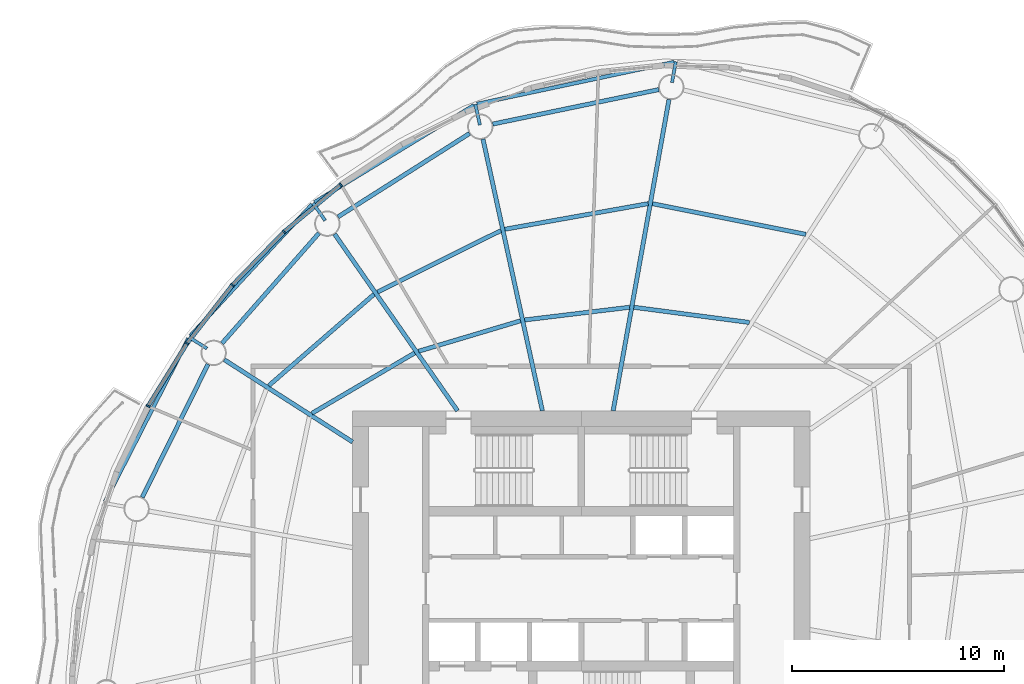
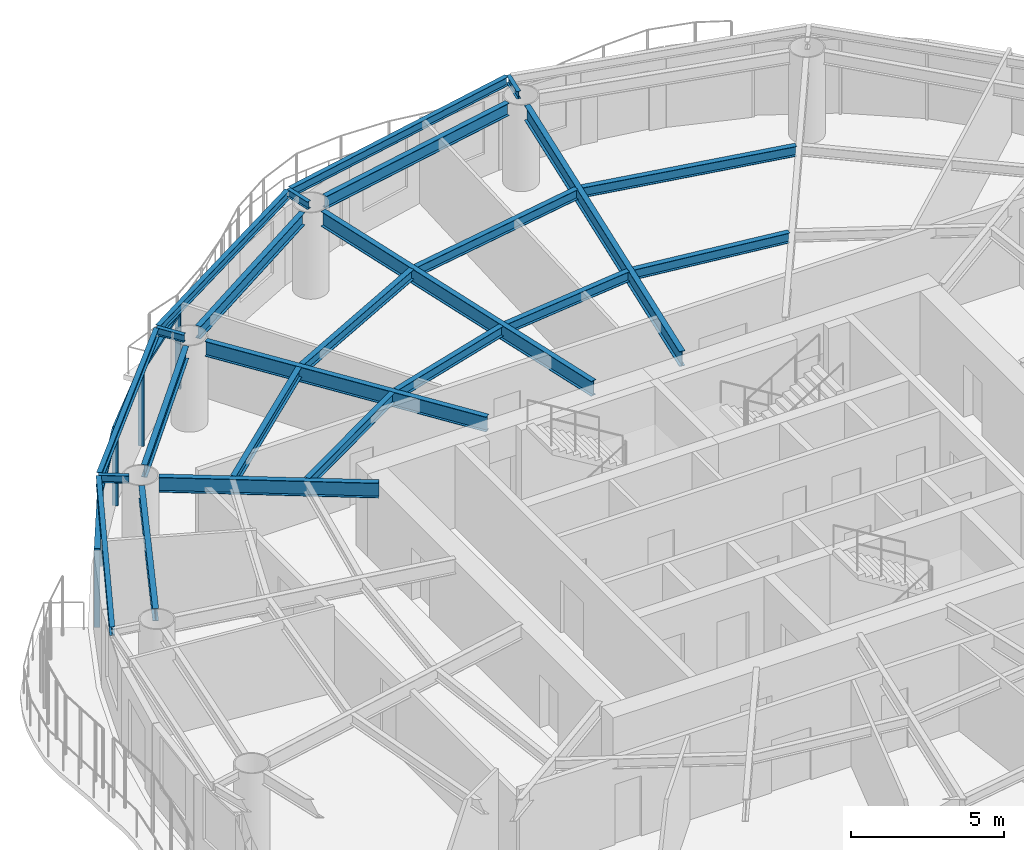
# One storey, part 5 of 14: 24 beams, 9 members, 4 elements without a shape of their own.
"""IFC4 building model written with IfcOpenShell, lengths in metres."""

import ifcopenshell
import ifcopenshell.guid

model = None  # the IFC model being written
_history = None  # IfcOwnerHistory: only IFC2X3 demands one
_inside = {}  # id of a spatial element -> (the spatial element, [elements in it])
_under = {}  # id of a project, library or spatial element -> (it, [spatial elements below it])
_declared = {}  # id of a project -> (the project, [libraries it declares])
_typed = {}  # id of a type object -> (the type object, [elements of that type])
_made_of = {}  # id of a material, layer set ... -> (it, [elements and type objects made of it])


def new_model(schema):
    """Start an empty IFC model of exactly this schema.

    Asked for "IFC4X3", IfcOpenShell would pick the latest addendum, in which some entities
    have other attributes; the version numbers below select the first issue.
    IFC2X3 requires an IfcOwnerHistory on every rooted entity: one is made here for all.
    """
    global model, _history
    if schema == "IFC4X3":
        model = ifcopenshell.file(schema_version=(4, 3, 0, 0))
    else:
        model = ifcopenshell.file(schema=schema)
    _inside.clear()
    _under.clear()
    _declared.clear()
    _typed.clear()
    _made_of.clear()
    _history = None
    if model.schema == "IFC2X3":
        org = make("IfcOrganization", Name="unknown")
        user = make(
            "IfcPersonAndOrganization",
            ThePerson=make("IfcPerson", FamilyName="unknown"),
            TheOrganization=org,
        )
        app = make(
            "IfcApplication",
            ApplicationDeveloper=org,
            Version="unknown",
            ApplicationFullName="unknown",
            ApplicationIdentifier="unknown",
        )
        _history = make(
            "IfcOwnerHistory",
            OwningUser=user,
            OwningApplication=app,
            ChangeAction="ADDED",
            CreationDate=0,
        )
    return model


def make(cls, **values):
    """One entity of the class cls with the attributes given. An attribute that is None is left unset."""
    return model.create_entity(
        cls, **{name: value for name, value in values.items() if value is not None}
    )


def rooted(cls, **values):
    """An entity with a GlobalId (a new one), such as an element, a storey or a relation."""
    return make(cls, GlobalId=ifcopenshell.guid.new(), OwnerHistory=_history, **values)


def si_unit(unit_type, name, prefix=None):
    """IfcSIUnit, for example si_unit("LENGTHUNIT", "METRE", prefix="MILLI")."""
    return make("IfcSIUnit", UnitType=unit_type, Prefix=prefix, Name=name)


def assignment(units):
    """IfcUnitAssignment: the units of a project."""
    return None if units is None else make("IfcUnitAssignment", Units=units)


def point(xyz):
    """IfcCartesianPoint."""
    return None if xyz is None else make("IfcCartesianPoint", Coordinates=xyz)


def direction(xyz):
    """IfcDirection."""
    return None if xyz is None else make("IfcDirection", DirectionRatios=xyz)


def frame(location, z_axis=None, x_axis=None):
    """IfcAxis2Placement3D, a coordinate frame: its origin and axes. An axis left out is left unset."""
    return make(
        "IfcAxis2Placement3D",
        Location=point(location),
        Axis=direction(z_axis),
        RefDirection=direction(x_axis),
    )


def frame_2d(location, x_axis=None):
    """IfcAxis2Placement2D, a coordinate frame in the plane: its origin and x axis."""
    return make(
        "IfcAxis2Placement2D", Location=point(location), RefDirection=direction(x_axis)
    )


def origin():
    """The frame at (0, 0, 0) with its axes left unset."""
    return frame((0.0, 0.0, 0.0))


def origin_2d():
    """The frame at (0, 0) in the plane with its x axis left unset."""
    return frame_2d((0.0, 0.0))


def place(relative_to, where):
    """IfcLocalPlacement: puts the frame where relative to a parent placement (None: the world)."""
    return make(
        "IfcLocalPlacement", PlacementRelTo=relative_to, RelativePlacement=where
    )


def context(
    kind, dimensions, precision=None, world=None, true_north=None, identifier=None
):
    """IfcGeometricRepresentationContext, for example the 3D "Model" context."""
    return make(
        "IfcGeometricRepresentationContext",
        ContextIdentifier=identifier,
        ContextType=kind,
        CoordinateSpaceDimension=dimensions,
        Precision=precision,
        WorldCoordinateSystem=world,
        TrueNorth=true_north,
    )


def subcontext(parent, identifier, kind, view, scale=None):
    """IfcGeometricRepresentationSubContext, for example "Body" below "Model"."""
    return make(
        "IfcGeometricRepresentationSubContext",
        ContextIdentifier=identifier,
        ContextType=kind,
        ParentContext=parent,
        TargetScale=scale,
        TargetView=view,
    )


def project(units=None, contexts=None):
    """IfcProject with its units and contexts."""
    return rooted(
        "IfcProject",
        Name="project",
        RepresentationContexts=contexts,
        UnitsInContext=assignment(units),
    )


def spatial(cls, under=None, at=None, **own):
    """A site, building, storey or space (cls), placed at a placement, below another one or the project."""
    s = rooted(cls, ObjectPlacement=at, **own)
    if under is not None:
        _under.setdefault(under.id(), (under, []))[1].append(s)
    return s


def profile(cls, at=None, kind="AREA", **sizes):
    """A parametric profile (cls). Its sizes go by their IFC names, for example OverallWidth=200.0."""
    return make(cls, ProfileType=kind, Position=at, **sizes)


def rectangle(**sizes):
    """IfcRectangleProfileDef."""
    return profile("IfcRectangleProfileDef", **sizes)


def i_section(**sizes):
    """IfcIShapeProfileDef."""
    return profile("IfcIShapeProfileDef", **sizes)


def extrude(swept, where, along, depth):
    """IfcExtrudedAreaSolid: the profile swept, set in the frame where, extruded along a direction by depth."""
    return make(
        "IfcExtrudedAreaSolid",
        SweptArea=swept,
        Position=where,
        ExtrudedDirection=direction(along),
        Depth=depth,
    )


def shape(context_of_items, identifier, shape_type, items):
    """IfcShapeRepresentation: the items that make up one representation, for example the "Body"."""
    return make(
        "IfcShapeRepresentation",
        ContextOfItems=context_of_items,
        RepresentationIdentifier=identifier,
        RepresentationType=shape_type,
        Items=items,
    )


def material(Name=None, Category=None):
    """IfcMaterial."""
    return make("IfcMaterial", Name=Name, Category=Category)


def material_profile(
    of_material, cross_section, Name=None, Category=None, Priority=None
):
    """IfcMaterialProfile: a cross section and its material."""
    return make(
        "IfcMaterialProfile",
        Name=Name,
        Material=of_material,
        Profile=cross_section,
        Priority=Priority,
        Category=Category,
    )


def profile_set(profiles, Name=None, composite=None):
    """IfcMaterialProfileSet."""
    return make(
        "IfcMaterialProfileSet",
        Name=Name,
        MaterialProfiles=profiles,
        CompositeProfile=composite,
    )


def made_of(thing, what):
    """Note that an element or type object is made of a material, layer set ...; save() writes the relation."""
    if what is not None:
        _made_of.setdefault(what.id(), (what, []))[1].append(thing)
    return thing


def type_object(cls, material=None, **own):
    """A type object (cls), such as IfcWallType, which elements share."""
    return made_of(rooted(cls, **own), material)


def element(
    cls,
    number,
    at=None,
    inside=None,
    cuts=None,
    type_object=None,
    material=None,
    context=None,
    identifier="Body",
    shape_type=None,
    held_by="IfcProductDefinitionShape",
    body=None,
    shapes=None,
    **own,
):
    """One element of the class cls, such as IfcWall. Its Tag is "e" and its number.

    at: its placement. inside: the storey or other place that contains it. cuts: it is an
    opening in that element (IfcRelVoidsElement). A single representation is given by context,
    identifier, shape_type and body (its items); several are given by shapes. held_by: the class
    of the entity that holds the representations. save() writes the other relations.
    """
    e = rooted(cls, Tag="e%d" % number, ObjectPlacement=at, **own)
    if body is not None:
        shapes = [shape(context, identifier, shape_type, body)]
    if shapes is not None:
        e.Representation = make(held_by, Representations=shapes)
    if inside is not None:
        _inside.setdefault(inside.id(), (inside, []))[1].append(e)
    if cuts is not None:
        rooted(
            "IfcRelVoidsElement", RelatingBuildingElement=cuts, RelatedOpeningElement=e
        )
    if type_object is not None:
        _typed.setdefault(type_object.id(), (type_object, []))[1].append(e)
    return made_of(e, material)


def aggregate(whole, parts):
    """IfcRelAggregates: a whole, such as a stair, and the parts it consists of."""
    return rooted("IfcRelAggregates", RelatingObject=whole, RelatedObjects=parts)


def save(model, path):
    """Write the relations noted so far, then the file.

    IfcRelAggregates (storeys below a building ...), IfcRelContainedInSpatialStructure (elements
    in a storey), IfcRelDefinesByType, IfcRelAssociatesMaterial and IfcRelDeclares: one each for
    every whole, place, type object, material and project.
    """
    for whole, parts in _under.values():
        aggregate(whole, parts)
    for where, things in _inside.values():
        rooted(
            "IfcRelContainedInSpatialStructure",
            RelatedElements=things,
            RelatingStructure=where,
        )
    for kind, things in _typed.values():
        rooted("IfcRelDefinesByType", RelatedObjects=things, RelatingType=kind)
    for what, things in _made_of.values():
        rooted("IfcRelAssociatesMaterial", RelatedObjects=things, RelatingMaterial=what)
    for by, libraries in _declared.values():
        rooted("IfcRelDeclares", RelatingContext=by, RelatedDefinitions=libraries)
    model.write(path)


model = new_model("IFC4")

# Units and contexts
model_context = context("Model", 3, precision=1e-05, world=origin(), true_north=direction((0.0, 1.0)))
body_context = subcontext(model_context, "Body", "Model", "MODEL_VIEW")
ifc_project = project(units=[si_unit("LENGTHUNIT", "METRE"), si_unit("AREAUNIT", "SQUARE_METRE"), si_unit("VOLUMEUNIT", "CUBIC_METRE"), si_unit("PLANEANGLEUNIT", "RADIAN"), si_unit("MASSUNIT", "GRAM", prefix="KILO")], contexts=[model_context])

# Site, building, storey
site_placement = place(None, origin())
site = spatial("IfcSite", under=ifc_project, at=site_placement, CompositionType="ELEMENT")
building_placement = place(site_placement, origin())
building = spatial("IfcBuilding", under=site, at=building_placement, Name="Vermilion Reach Broadcast Tower", CompositionType="ELEMENT")
storey_placement = place(building_placement, frame((0.0, 0.0, 228.10009765625)))
storey = spatial("IfcBuildingStorey", under=building, at=storey_placement, Name="L56", CompositionType="ELEMENT", Elevation=228.10009765625)

# Beams
ifc_material_1 = material(Name="Steel S355J2", Category="steel")
ifc_material_profile_1 = material_profile(ifc_material_1, i_section(OverallWidth=0.175048828125, OverallDepth=0.35009765625, WebThickness=0.007080078125, FlangeThickness=0.010986328125, at=origin_2d()), Name="S355J2 HN 350x175x7x11")
ifc_profile_set_1 = profile_set([ifc_material_profile_1], Name="Steel S355J2")
beam_type_1 = type_object("IfcBeamType", Name="EB4 HN 350x175x7x11", PredefinedType="BEAM", material=ifc_profile_set_1)
beam_1_placement = place(storey_placement, frame((-1.615234375, 24.867431640625, 3.27490234375), z_axis=(-0.978155330869, -0.207875320066, 0.0), x_axis=(0.207875320066, -0.978155330869, 0.0)))
element("IfcBeam", 1, at=beam_1_placement, inside=storey, type_object=beam_type_1, Name="Edge beam EB4-02", PredefinedType="BEAM", context=body_context, shape_type="SweptSolid", body=[
    extrude(i_section(OverallWidth=0.175048828125, OverallDepth=0.35009765625, WebThickness=0.007080078125, FlangeThickness=0.010986328125, at=origin_2d()), origin(), (0.0, 0.0, 1.0), 9.51904296875),
])
beam_2_placement = place(storey_placement, frame((-11.0673828125, 22.831787109375, 3.27490234375), z_axis=(-0.854050493174, -0.52019011439, 0.0), x_axis=(0.52019011439, -0.854050493174, 0.0)))
element("IfcBeam", 2, at=beam_2_placement, inside=storey, type_object=beam_type_1, Name="Edge beam EB4-03", PredefinedType="BEAM", context=body_context, shape_type="SweptSolid", body=[
    extrude(i_section(OverallWidth=0.175048828125, OverallDepth=0.35009765625, WebThickness=0.007080078125, FlangeThickness=0.010986328125, at=origin_2d()), origin(), (0.0, 0.0, 1.0), 8.822021484375),
])
beam_3_placement = place(storey_placement, frame((-18.718017578125, 18.147216796875, 3.27490234375), z_axis=(-0.679139478593, -0.734009242869, 0.0), x_axis=(0.734009242869, -0.679139478593, 0.0)))
element("IfcBeam", 3, at=beam_3_placement, inside=storey, type_object=beam_type_1, Name="Edge beam EB4-04", PredefinedType="BEAM", context=body_context, shape_type="SweptSolid", body=[
    extrude(i_section(OverallWidth=0.175048828125, OverallDepth=0.35009765625, WebThickness=0.007080078125, FlangeThickness=0.010986328125, at=origin_2d()), origin(), (0.0, 0.0, 1.0), 8.46728515625),
])
beam_4_placement = place(storey_placement, frame((-24.5546875, 11.80908203125, 3.27490234375), z_axis=(-0.455013039157, -0.890484774826, 0.0), x_axis=(0.890484774826, -0.455013039157, 0.0)))
element("IfcBeam", 4, at=beam_4_placement, inside=storey, type_object=beam_type_1, Name="Edge beam EB4-05", PredefinedType="BEAM", context=body_context, shape_type="SweptSolid", body=[
    extrude(i_section(OverallWidth=0.175048828125, OverallDepth=0.35009765625, WebThickness=0.007080078125, FlangeThickness=0.010986328125, at=origin_2d()), origin(), (0.0, 0.0, 1.0), 8.6455078125),
])
ifc_material_2 = material(Name="Steel S355J2", Category="steel")
ifc_material_profile_2 = material_profile(ifc_material_2, i_section(OverallWidth=0.199951171875, OverallDepth=0.60009765625, WebThickness=0.010986328125, FlangeThickness=0.01708984375, at=origin_2d()), Name="S355J2 HN 600x200x11x17")
ifc_profile_set_2 = profile_set([ifc_material_profile_2], Name="Steel S355J2")
beam_type_2 = type_object("IfcBeamType", Name="G4 HN 600x200x11x17", PredefinedType="BEAM", material=ifc_profile_set_2)
beam_5_placement = place(storey_placement, frame((-4.4931640625, 8.39990234375, 3.14990234375), z_axis=(0.176574729047, 0.984287237072, 0.0), x_axis=(-0.984287237072, 0.176574729047, 0.0)))
element("IfcBeam", 5, at=beam_5_placement, inside=storey, type_object=beam_type_2, Name="Girder G4-02", PredefinedType="BEAM", context=body_context, shape_type="SweptSolid", body=[
    extrude(i_section(OverallWidth=0.199951171875, OverallDepth=0.60009765625, WebThickness=0.010986328125, FlangeThickness=0.01708984375, at=origin_2d()), origin(), (0.0, 0.0, 1.0), 14.935302734375),
])
beam_6_placement = place(storey_placement, frame((-7.836181640625, 8.39990234375, 3.14990234375), z_axis=(-0.213538346548, 0.976934682849, 0.0), x_axis=(-0.976934682849, -0.213538346548, 0.0)))
element("IfcBeam", 6, at=beam_6_placement, inside=storey, type_object=beam_type_2, Name="Girder G4-03", PredefinedType="BEAM", context=body_context, shape_type="SweptSolid", body=[
    extrude(i_section(OverallWidth=0.199951171875, OverallDepth=0.60009765625, WebThickness=0.010986328125, FlangeThickness=0.01708984375, at=origin_2d()), origin(), (0.0, 0.0, 1.0), 13.135498046875),
])
beam_7_placement = place(storey_placement, frame((-11.8447265625, 8.39990234375, 3.14990234375), z_axis=(-0.571134149017, 0.8208567377, 0.0), x_axis=(-0.8208567377, -0.571134149017, 0.0)))
element("IfcBeam", 7, at=beam_7_placement, inside=storey, type_object=beam_type_2, Name="Girder G4-04", PredefinedType="BEAM", context=body_context, shape_type="SweptSolid", body=[
    extrude(i_section(OverallWidth=0.199951171875, OverallDepth=0.60009765625, WebThickness=0.010986328125, FlangeThickness=0.01708984375, at=origin_2d()), origin(), (0.0, 0.0, 1.0), 10.16552734375),
])
beam_8_placement = place(storey_placement, frame((-16.800048828125, 6.925537109375, 3.14990234375), z_axis=(-0.841798504642, 0.539791883584, 0.0), x_axis=(-0.539791883584, -0.841798504642, 0.0)))
element("IfcBeam", 8, at=beam_8_placement, inside=storey, type_object=beam_type_2, Name="Girder G4-05", PredefinedType="BEAM", context=body_context, shape_type="SweptSolid", body=[
    extrude(i_section(OverallWidth=0.199951171875, OverallDepth=0.60009765625, WebThickness=0.010986328125, FlangeThickness=0.01708984375, at=origin_2d()), origin(), (0.0, 0.0, 1.0), 7.1962890625),
])
ifc_material_3 = material(Name="Steel S355J2", Category="steel")
ifc_material_profile_3 = material_profile(ifc_material_3, i_section(OverallWidth=0.14990234375, OverallDepth=0.300048828125, WebThickness=0.006591796875, FlangeThickness=0.009033203125, at=origin_2d()), Name="S355J2 HN 300x150x6.5x9")
ifc_profile_set_3 = profile_set([ifc_material_profile_3], Name="Steel S355J2")
beam_type_3 = type_object("IfcBeamType", Name="GS4 HN 300x150x6.5x9", PredefinedType="BEAM", material=ifc_profile_set_3)
beam_9_placement = place(storey_placement, frame((-1.712646484375, 23.89990234375, 3.2998046875), z_axis=(0.176500327456, 0.984300581331, 0.0), x_axis=(-0.984300581331, 0.176500327456, 0.0)))
element("IfcBeam", 9, at=beam_9_placement, inside=storey, type_object=beam_type_3, Name="Cantilever stub GS4-02", PredefinedType="BEAM", context=body_context, shape_type="SweptSolid", body=[
    extrude(i_section(OverallWidth=0.14990234375, OverallDepth=0.300048828125, WebThickness=0.006591796875, FlangeThickness=0.009033203125, at=origin_2d()), origin(), (0.0, 0.0, 1.0), 1.0),
])
beam_10_placement = place(storey_placement, frame((-10.7861328125, 21.89599609375, 3.2998046875), z_axis=(-0.213594957215, 0.976922307173, 0.0), x_axis=(-0.976922307173, -0.213594957215, 0.0)))
element("IfcBeam", 10, at=beam_10_placement, inside=storey, type_object=beam_type_3, Name="Cantilever stub GS4-03", PredefinedType="BEAM", context=body_context, shape_type="SweptSolid", body=[
    extrude(i_section(OverallWidth=0.14990234375, OverallDepth=0.300048828125, WebThickness=0.006591796875, FlangeThickness=0.009033203125, at=origin_2d()), origin(), (0.0, 0.0, 1.0), 1.000244140625),
])
for number, where, z_axis, x_axis, name in (
    (11, (-18.0947265625, 17.382568359375, 3.2998046875), (-0.571100256946, 0.820880318022, 0.0), (-0.820880318022, -0.571100256946, 0.0), "Cantilever stub GS4-04"),
    (12, (-23.678466796875, 11.33642578125, 3.2998046875), (-0.841796649213, 0.539794777091, 0.0), (-0.539794777091, -0.841796649213, 0.0), "Cantilever stub GS4-05"),
):
    element("IfcBeam", number, at=place(storey_placement, frame(where, z_axis=z_axis, x_axis=x_axis)), inside=storey, type_object=beam_type_3, Name=name, PredefinedType="BEAM", context=body_context, shape_type="SweptSolid", body=[
        extrude(i_section(OverallWidth=0.14990234375, OverallDepth=0.300048828125, WebThickness=0.006591796875, FlangeThickness=0.009033203125, at=origin_2d()), origin(), (0.0, 0.0, 1.0), 1.0),
    ])
ifc_material_4 = material(Name="Steel S355J2", Category="steel")
ifc_material_profile_4 = material_profile(ifc_material_4, i_section(OverallWidth=0.199951171875, OverallDepth=0.5, WebThickness=0.010009765625, FlangeThickness=0.01611328125, at=origin_2d()), Name="S355J2 HN 500x200x10x16")
ifc_profile_set_4 = profile_set([ifc_material_profile_4], Name="Steel S355J2")
beam_type_4 = type_object("IfcBeamType", Name="RB4 HN 500x200x10x16", PredefinedType="BEAM", material=ifc_profile_set_4)
beam_11_placement = place(storey_placement, frame((-2.337646484375, 23.569091796875, 3.199951171875), z_axis=(-0.97912342484, -0.203266620302, 0.0), x_axis=(0.203266620302, -0.97912342484, 0.0)))
element("IfcBeam", 13, at=beam_11_placement, inside=storey, type_object=beam_type_4, Name="Ring beam RB4-02", PredefinedType="BEAM", context=body_context, shape_type="SweptSolid", body=[
    extrude(i_section(OverallWidth=0.199951171875, OverallDepth=0.5, WebThickness=0.010009765625, FlangeThickness=0.01611328125, at=origin_2d()), origin(), (0.0, 0.0, 1.0), 8.01123046875),
])
beam_12_placement = place(storey_placement, frame((-11.27587890625, 21.497314453125, 3.199951171875), z_axis=(-0.84446426774, -0.535611893549, 0.0), x_axis=(0.535611893549, -0.84446426774, 0.0)))
element("IfcBeam", 14, at=beam_12_placement, inside=storey, type_object=beam_type_4, Name="Ring beam RB4-03", PredefinedType="BEAM", context=body_context, shape_type="SweptSolid", body=[
    extrude(i_section(OverallWidth=0.199951171875, OverallDepth=0.5, WebThickness=0.010009765625, FlangeThickness=0.01611328125, at=origin_2d()), origin(), (0.0, 0.0, 1.0), 7.3544921875),
])
beam_13_placement = place(storey_placement, frame((-18.3896484375, 16.786376953125, 3.199951171875), z_axis=(-0.660565141761, -0.750768735024, 0.0), x_axis=(0.750768735024, -0.660565141761, 0.0)))
element("IfcBeam", 15, at=beam_13_placement, inside=storey, type_object=beam_type_4, Name="Ring beam RB4-04", PredefinedType="BEAM", context=body_context, shape_type="SweptSolid", body=[
    extrude(i_section(OverallWidth=0.199951171875, OverallDepth=0.5, WebThickness=0.010009765625, FlangeThickness=0.01611328125, at=origin_2d()), origin(), (0.0, 0.0, 1.0), 6.9287109375),
])
beam_14_placement = place(storey_placement, frame((-23.628662109375, 10.595947265625, 3.199951171875), z_axis=(-0.442977497199, -0.896532730566, 0.0), x_axis=(0.896532730566, -0.442977497199, 0.0)))
element("IfcBeam", 16, at=beam_14_placement, inside=storey, type_object=beam_type_4, Name="Ring beam RB4-05", PredefinedType="BEAM", context=body_context, shape_type="SweptSolid", body=[
    extrude(i_section(OverallWidth=0.199951171875, OverallDepth=0.5, WebThickness=0.010009765625, FlangeThickness=0.01611328125, at=origin_2d()), origin(), (0.0, 0.0, 1.0), 7.0166015625),
])
ifc_material_5 = material(Name="Steel S355J2", Category="steel")
ifc_material_profile_5 = material_profile(ifc_material_5, i_section(OverallWidth=0.199951171875, OverallDepth=0.39990234375, WebThickness=0.008056640625, FlangeThickness=0.012939453125, at=origin_2d()), Name="S355J2 HN 400x200x8x13")
ifc_profile_set_5 = profile_set([ifc_material_profile_5], Name="Steel S355J2")
beam_type_5 = type_object("IfcBeamType", Name="SB4 HN 400x200x8x13", PredefinedType="BEAM", material=ifc_profile_set_5)
beam_15_placement = place(storey_placement, frame((1.94140625, 12.5693359375, 3.25), z_axis=(-0.991458070019, 0.130425823341, 0.0), x_axis=(-0.130425823341, -0.991458070019, 0.0)))
element("IfcBeam", 17, at=beam_15_placement, inside=storey, type_object=beam_type_5, Name="Secondary beam SB4-01-1", PredefinedType="BEAM", context=body_context, shape_type="SweptSolid", body=[
    extrude(i_section(OverallWidth=0.199951171875, OverallDepth=0.39990234375, WebThickness=0.008056640625, FlangeThickness=0.012939453125, at=origin_2d()), origin(), (0.0, 0.0, 1.0), 5.50341796875),
])
beam_16_placement = place(storey_placement, frame((4.60986328125, 16.73095703125, 3.25), z_axis=(-0.9805717807, 0.196160604851, 0.0), x_axis=(-0.196160604851, -0.9805717807, 0.0)))
element("IfcBeam", 18, at=beam_16_placement, inside=storey, type_object=beam_type_5, Name="Secondary beam SB4-01-2", PredefinedType="BEAM", context=body_context, shape_type="SweptSolid", body=[
    extrude(i_section(OverallWidth=0.199951171875, OverallDepth=0.39990234375, WebThickness=0.008056640625, FlangeThickness=0.012939453125, at=origin_2d()), origin(), (0.0, 0.0, 1.0), 7.390380859375),
])
beam_17_placement = place(storey_placement, frame((-3.718017578125, 13.28759765625, 3.25), z_axis=(-0.99278788328, -0.119884189168, 0.0), x_axis=(0.119884189168, -0.99278788328, 0.0)))
element("IfcBeam", 19, at=beam_17_placement, inside=storey, type_object=beam_type_5, Name="Secondary beam SB4-02-1", PredefinedType="BEAM", context=body_context, shape_type="SweptSolid", body=[
    extrude(i_section(OverallWidth=0.199951171875, OverallDepth=0.39990234375, WebThickness=0.008056640625, FlangeThickness=0.012939453125, at=origin_2d()), origin(), (0.0, 0.0, 1.0), 4.9892578125),
])
beam_18_placement = place(storey_placement, frame((-2.840087890625, 18.181640625, 3.25), z_axis=(-0.984415281892, -0.175859468829, 0.0), x_axis=(0.175859468829, -0.984415281892, 0.0)))
element("IfcBeam", 20, at=beam_18_placement, inside=storey, type_object=beam_type_5, Name="Secondary beam SB4-02-2", PredefinedType="BEAM", context=body_context, shape_type="SweptSolid", body=[
    extrude(i_section(OverallWidth=0.199951171875, OverallDepth=0.39990234375, WebThickness=0.008056640625, FlangeThickness=0.012939453125, at=origin_2d()), origin(), (0.0, 0.0, 1.0), 6.874755859375),
])
beam_19_placement = place(storey_placement, frame((-8.8671875, 12.64892578125, 3.25), z_axis=(-0.958173460215, -0.28618808525, 0.0), x_axis=(0.28618808525, -0.958173460215, 0.0)))
element("IfcBeam", 21, at=beam_19_placement, inside=storey, type_object=beam_type_5, Name="Secondary beam SB4-03-1", PredefinedType="BEAM", context=body_context, shape_type="SweptSolid", body=[
    extrude(i_section(OverallWidth=0.199951171875, OverallDepth=0.39990234375, WebThickness=0.008056640625, FlangeThickness=0.012939453125, at=origin_2d()), origin(), (0.0, 0.0, 1.0), 5.02197265625),
])
beam_20_placement = place(storey_placement, frame((-9.79833984375, 16.908935546875, 3.25), z_axis=(-0.895183615542, -0.445697536974, 0.0), x_axis=(0.445697536974, -0.895183615542, 0.0)))
element("IfcBeam", 22, at=beam_20_placement, inside=storey, type_object=beam_type_5, Name="Secondary beam SB4-03-2", PredefinedType="BEAM", context=body_context, shape_type="SweptSolid", body=[
    extrude(i_section(OverallWidth=0.199951171875, OverallDepth=0.39990234375, WebThickness=0.008056640625, FlangeThickness=0.012939453125, at=origin_2d()), origin(), (0.0, 0.0, 1.0), 6.508544921875),
])
beam_21_placement = place(storey_placement, frame((-13.866455078125, 11.130615234375, 3.25), z_axis=(-0.862172572268, -0.506614701356, 0.0), x_axis=(0.506614701356, -0.862172572268, 0.0)))
element("IfcBeam", 23, at=beam_21_placement, inside=storey, type_object=beam_type_5, Name="Secondary beam SB4-04-1", PredefinedType="BEAM", context=body_context, shape_type="SweptSolid", body=[
    extrude(i_section(OverallWidth=0.199951171875, OverallDepth=0.39990234375, WebThickness=0.008056640625, FlangeThickness=0.012939453125, at=origin_2d()), origin(), (0.0, 0.0, 1.0), 5.632568359375),
])
beam_22_placement = place(storey_placement, frame((-15.791259765625, 13.89697265625, 3.25), z_axis=(-0.755129308567, -0.655575874589, 0.0), x_axis=(0.655575874589, -0.755129308567, 0.0)))
element("IfcBeam", 24, at=beam_22_placement, inside=storey, type_object=beam_type_5, Name="Secondary beam SB4-04-2", PredefinedType="BEAM", context=body_context, shape_type="SweptSolid", body=[
    extrude(i_section(OverallWidth=0.199951171875, OverallDepth=0.39990234375, WebThickness=0.008056640625, FlangeThickness=0.012939453125, at=origin_2d()), origin(), (0.0, 0.0, 1.0), 6.57958984375),
])

# Curtain wall, member
ifc_material_6 = material(Name="Low-e laminated clear glass in aluminium frame", Category="aluminium")
curtain_wall_type = type_object("IfcCurtainWallType", Name="Slot curtain wall", PredefinedType="NOTDEFINED", material=ifc_material_6)
placement = place(storey_placement, origin())
curtain_wall_1 = element("IfcCurtainWall", 25, at=placement, inside=storey, type_object=curtain_wall_type, Name="Slot curtain wall L56 10", PredefinedType="NOTDEFINED")
ifc_material_7 = material(Name="Anodised aluminium", Category="aluminium")
ifc_material_profile_6 = material_profile(ifc_material_7, rectangle(XDim=0.199951171875, YDim=0.080078125, at=origin_2d()), Name="Slot mullion 80 x 200")
ifc_profile_set_6 = profile_set([ifc_material_profile_6], Name="Anodised aluminium")
member_type_1 = type_object("IfcMemberType", Name="Slot mullion 80 x 200", PredefinedType="MULLION", material=ifc_profile_set_6)
member_1_placement = place(storey_placement, frame((-17.357666015625, 19.071044921875, 0.0), z_axis=(0.0, 0.0, 1.0), x_axis=(0.595650394105, -0.803243803588, 0.0)))
member_1 = element("IfcMember", 26, at=member_1_placement, type_object=member_type_1, Name="Slot mullion L56 10", PredefinedType="MULLION", context=body_context, shape_type="SweptSolid", body=[
    extrude(rectangle(XDim=0.199951171875, YDim=0.080078125, at=origin_2d()), origin(), (0.0, 0.0, 1.0), 3.099853515625),
])

curtain_wall_2 = element("IfcCurtainWall", 27, at=placement, inside=storey, type_object=curtain_wall_type, Name="Slot curtain wall L56 11", PredefinedType="NOTDEFINED")
member_2_placement = place(storey_placement, frame((-20.033935546875, 16.848876953125, 0.0), z_axis=(0.0, 0.0, 1.0), x_axis=(0.679365419419, -0.733800127349, 0.0)))
member_2 = element("IfcMember", 28, at=member_2_placement, type_object=member_type_1, Name="Slot mullion L56 11", PredefinedType="MULLION", context=body_context, shape_type="SweptSolid", body=[
    extrude(rectangle(XDim=0.199951171875, YDim=0.080078125, at=origin_2d()), origin(), (0.0, 0.0, 1.0), 3.099853515625),
])

curtain_wall_3 = element("IfcCurtainWall", 29, at=placement, inside=storey, type_object=curtain_wall_type, Name="Slot curtain wall L56 12", PredefinedType="NOTDEFINED")
member_3_placement = place(storey_placement, frame((-22.469482421875, 14.3369140625, 0.0), z_axis=(0.0, 0.0, 1.0), x_axis=(0.754251405661, -0.656585727121, 0.0)))
member_3 = element("IfcMember", 30, at=member_3_placement, type_object=member_type_1, Name="Slot mullion L56 12", PredefinedType="MULLION", context=body_context, shape_type="SweptSolid", body=[
    extrude(rectangle(XDim=0.199951171875, YDim=0.080078125, at=origin_2d()), origin(), (0.0, 0.0, 1.0), 3.099853515625),
])

# Curtain wall, members
curtain_wall_4 = element("IfcCurtainWall", 31, at=placement, inside=storey, type_object=curtain_wall_type, Name="Slot curtain wall L56 13", PredefinedType="NOTDEFINED")
member_4_placement = place(storey_placement, frame((-24.621826171875, 11.57861328125, 0.0), z_axis=(0.0, 0.0, 1.0), x_axis=(0.82041074826, -0.571774609562, 0.0)))
member_4 = element("IfcMember", 32, at=member_4_placement, type_object=member_type_1, Name="Slot mullion L56 13", PredefinedType="MULLION", context=body_context, shape_type="SweptSolid", body=[
    extrude(rectangle(XDim=0.199951171875, YDim=0.080078125, at=origin_2d()), origin(), (0.0, 0.0, 1.0), 3.099853515625),
])
member_5_placement = place(storey_placement, frame((-26.4541015625, 8.621337890625, 0.0), z_axis=(0.0, 0.0, 1.0), x_axis=(0.877656839986, -0.479289548421, 0.0)))
member_5 = element("IfcMember", 33, at=member_5_placement, type_object=member_type_1, Name="Slot mullion L56 14", PredefinedType="MULLION", context=body_context, shape_type="SweptSolid", body=[
    extrude(rectangle(XDim=0.199951171875, YDim=0.080078125, at=origin_2d()), origin(), (0.0, 0.0, 1.0), 3.099853515625),
])

# Member
ifc_material_8 = material(Name="Anodised aluminium", Category="aluminium")
ifc_material_profile_7 = material_profile(ifc_material_8, rectangle(XDim=0.199951171875, YDim=0.10009765625, at=origin_2d()), Name="Slot transom 200 x 100")
ifc_profile_set_7 = profile_set([ifc_material_profile_7], Name="Anodised aluminium")
member_type_2 = type_object("IfcMemberType", Name="Slot transom 200 x 100", PredefinedType="USERDEFINED", material=ifc_profile_set_7)
member_6_placement = place(storey_placement, frame((-17.388427734375, 19.04541015625, 3.0498046875), z_axis=(-0.769350596478, -0.638826783799, 0.0), x_axis=(0.638826783799, -0.769350596478, 0.0)))
member_6 = element("IfcMember", 34, at=member_6_placement, type_object=member_type_2, Name="Slot transom L56 10.1", ObjectType="TRANSOM", PredefinedType="USERDEFINED", context=body_context, shape_type="SweptSolid", body=[
    extrude(rectangle(XDim=0.199951171875, YDim=0.10009765625, at=origin_2d()), origin(), (0.0, 0.0, 1.0), 3.398681640625),
])

aggregate(curtain_wall_1, [member_1, member_6])

member_7_placement = place(storey_placement, frame((-20.061767578125, 16.820068359375, 3.0498046875), z_axis=(-0.696096763865, -0.717947975369, 0.0), x_axis=(0.717947975369, -0.696096763865, 0.0)))
member_7 = element("IfcMember", 35, at=member_7_placement, type_object=member_type_2, Name="Slot transom L56 11.1", ObjectType="TRANSOM", PredefinedType="USERDEFINED", context=body_context, shape_type="SweptSolid", body=[
    extrude(rectangle(XDim=0.199951171875, YDim=0.10009765625, at=origin_2d()), origin(), (0.0, 0.0, 1.0), 3.4189453125),
])

aggregate(curtain_wall_2, [member_2, member_7])

member_8_placement = place(storey_placement, frame((-22.494140625, 14.305419921875, 3.0498046875), z_axis=(-0.615156112034, -0.788405325849, 0.0), x_axis=(0.788405325849, -0.615156112034, 0.0)))
member_8 = element("IfcMember", 36, at=member_8_placement, type_object=member_type_2, Name="Slot transom L56 12.1", ObjectType="TRANSOM", PredefinedType="USERDEFINED", context=body_context, shape_type="SweptSolid", body=[
    extrude(rectangle(XDim=0.199951171875, YDim=0.10009765625, at=origin_2d()), origin(), (0.0, 0.0, 1.0), 3.418701171875),
])

aggregate(curtain_wall_3, [member_3, member_8])

member_9_placement = place(storey_placement, frame((-24.642822265625, 11.54443359375, 3.0498046875), z_axis=(-0.526708218659, -0.850046147216, 0.0), x_axis=(0.850046147216, -0.526708218659, 0.0)))
member_9 = element("IfcMember", 37, at=member_9_placement, type_object=member_type_2, Name="Slot transom L56 13.1", ObjectType="TRANSOM", PredefinedType="USERDEFINED", context=body_context, shape_type="SweptSolid", body=[
    extrude(rectangle(XDim=0.199951171875, YDim=0.10009765625, at=origin_2d()), origin(), (0.0, 0.0, 1.0), 3.3984375),
])

aggregate(curtain_wall_4, [member_4, member_5, member_9])

save(model, "model.ifc")
